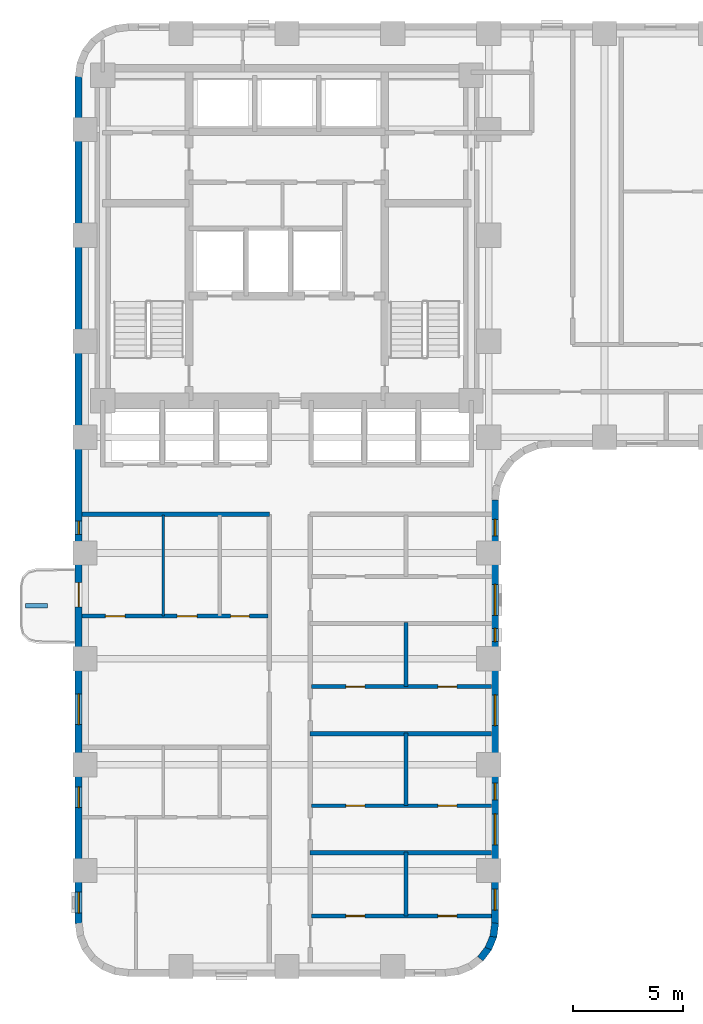
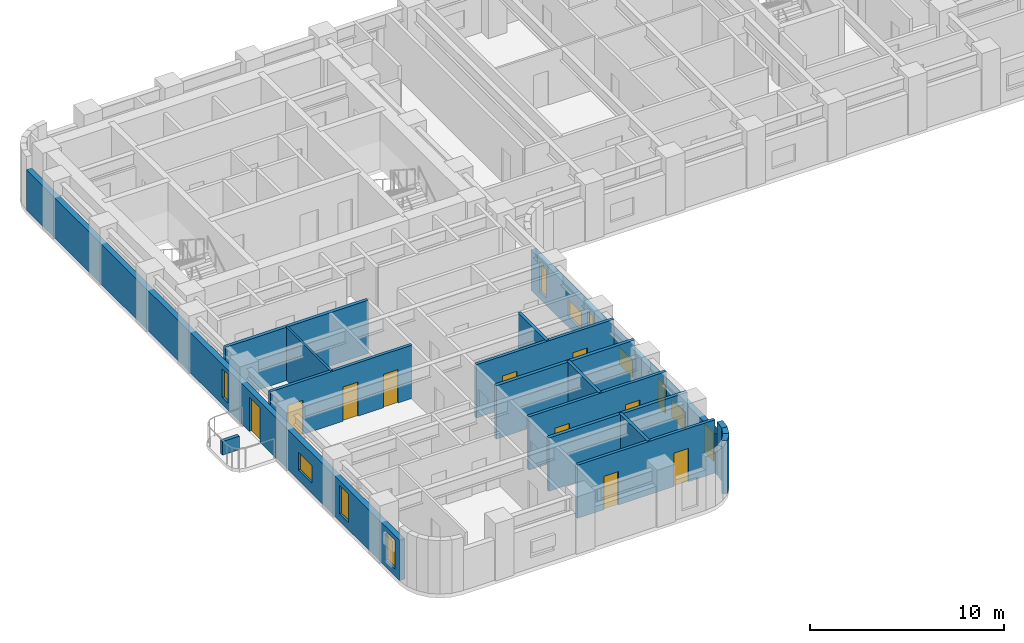
# One storey, part 3 of 11: 17 walls, 11 windows, 10 doors, 21 openings.
"""IFC4 building model written with IfcOpenShell, lengths in metres."""

from ifc_helpers import new_model, si_unit, direction, frame, frame_2d, origin, place, context, subcontext, project, spatial, rectangle, extrude, material, layer, layer_set, type_object, element, fill, save


model = new_model("IFC4")

# Units and contexts
model_context = context("Model", 3, precision=1e-05, world=origin(), true_north=direction((0.0, 1.0)))
body_context = subcontext(model_context, "Body", "Model", "MODEL_VIEW")
ifc_project = project(units=[si_unit("LENGTHUNIT", "METRE"), si_unit("AREAUNIT", "SQUARE_METRE"), si_unit("VOLUMEUNIT", "CUBIC_METRE"), si_unit("PLANEANGLEUNIT", "RADIAN"), si_unit("MASSUNIT", "GRAM", prefix="KILO")], contexts=[model_context])

# Site, building, storey
site_placement = place(None, origin())
site = spatial("IfcSite", under=ifc_project, at=site_placement, CompositionType="ELEMENT")
building_placement = place(site_placement, origin())
building = spatial("IfcBuilding", under=site, at=building_placement, Name="Orvandelia Arch Residences", CompositionType="ELEMENT")
storey_placement = place(building_placement, frame((0.0, 0.0, 64.60009765625)))
storey = spatial("IfcBuildingStorey", under=building, at=storey_placement, Name="L16", CompositionType="ELEMENT", Elevation=64.60009765625)

# Walls
ifc_material_1 = material(Name="Fire-Rated Corridor Partition")
ifc_layer_1 = layer(ifc_material_1, 0.199951171875, Name="Fire-Rated Corridor Partition")
ifc_layer_set_1 = layer_set([ifc_layer_1], Name="Fire-Rated Corridor Partition")
wall_type_1 = type_object("IfcWallType", Name="WL-CORR-200", PredefinedType="PARTITIONING", material=ifc_layer_set_1)
wall_1_placement = place(storey_placement, frame((5.1201171875, 25.75, 0.0), z_axis=(0.0, 0.0, 1.0), x_axis=(1.0, 0.0, 0.0)))
element("IfcWall", 1, at=wall_1_placement, inside=storey, type_object=wall_type_1, Name="Interior Partition Wall WL-L16-WCLS-W", PredefinedType="PARTITIONING", context=body_context, shape_type="SweptSolid", body=[
    extrude(rectangle(XDim=8.47998046875, YDim=0.199951171875, at=frame_2d((4.239990234375, 0.0))), origin(), (0.0, 0.0, 1.0), 3.349853515625),
])
ifc_material_2 = material(Name="Concrete C40/50", Category="concrete")
ifc_layer_2 = layer(ifc_material_2, 0.199951171875, Name="Concrete C40/50", Category="concrete")
ifc_layer_set_2 = layer_set([ifc_layer_2], Name="Concrete C40/50")
wall_type_2 = type_object("IfcWallType", Name="WL-DEM-200", PredefinedType="SOLIDWALL", material=ifc_layer_set_2)
for number, where, z_axis, x_axis, name in (
    (2, (15.449951171875, 10.39990234375, 0.0), (0.0, 0.0, 1.0), (1.0, 0.0, 0.0), "Interior Partition Wall WL-L16-DEM-WR-104"),
    (3, (15.449951171875, 15.800048828125, 0.0), (0.0, 0.0, 1.0), (1.0, 0.0, 0.0), "Interior Partition Wall WL-L16-DEM-WR-158"),
):
    element("IfcWall", number, at=place(storey_placement, frame(where, z_axis=z_axis, x_axis=x_axis)), inside=storey, type_object=wall_type_2, Name=name, PredefinedType="SOLIDWALL", context=body_context, shape_type="SweptSolid", body=[
        extrude(rectangle(XDim=8.22998046875, YDim=0.199951171875, at=frame_2d((4.114990234375, 0.0))), origin(), (0.0, 0.0, 1.0), 3.349853515625),
    ])

# Wall, openings, windows
ifc_material_3 = material(Name="Precast concrete C40/50", Category="concrete")
ifc_layer_3 = layer(ifc_material_3, 0.320068359375, Name="Precast concrete C40/50", Category="concrete")
ifc_layer_set_3 = layer_set([ifc_layer_3], Name="Precast concrete C40/50")
wall_type_3 = type_object("IfcWallType", Name="WL-EXT-STONE-320", PredefinedType="STANDARD", material=ifc_layer_set_3)
wall_2_placement = place(storey_placement, frame((23.840087890625, 26.39990234375, 0.0), z_axis=(0.0, 0.0, 1.0), x_axis=(0.0, -1.0, 0.0)))
wall_2 = element("IfcWall", 4, at=wall_2_placement, inside=storey, type_object=wall_type_3, Name="Coral-Limestone Precast Facade Wall L16-028", PredefinedType="STANDARD", context=body_context, shape_type="SweptSolid", body=[
    extrude(rectangle(XDim=19.199951171875, YDim=0.320068359375, at=frame_2d((9.60009765625, 0.0))), origin(), (0.0, 0.0, 1.0), 2.52978515625),
])
opening_1_placement = place(wall_2_placement, frame((14.22998046875, 0.0, 0.64990234375)))
opening_1 = element("IfcOpeningElement", 5, at=opening_1_placement, cuts=wall_2, Name="Opening W10", PredefinedType="OPENING", context=body_context, shape_type="SweptSolid", body=[
    extrude(rectangle(XDim=1.39990234375, YDim=1.10009765625, at=frame_2d((0.699951171875, 0.550048828125))), frame((0.0, 0.169921875, 0.0), z_axis=(0.0, -1.0, 0.0), x_axis=(1.0, 0.0, 0.0)), (0.0, 0.0, 1.0), 0.340087890625),
])
opening_2_placement = place(wall_2_placement, frame((8.830078125, 0.0, 0.64990234375)))
opening_2 = element("IfcOpeningElement", 6, at=opening_2_placement, cuts=wall_2, Name="Opening W10", PredefinedType="OPENING", context=body_context, shape_type="SweptSolid", body=[
    extrude(rectangle(XDim=1.39990234375, YDim=1.10009765625, at=frame_2d((0.699951171875, 0.550048828125))), frame((0.0, 0.169921875, 0.0), z_axis=(0.0, -1.0, 0.0), x_axis=(1.0, 0.0, 0.0)), (0.0, 0.0, 1.0), 0.340087890625),
])
opening_3_placement = place(wall_2_placement, frame((3.830078125, 0.0, 0.64990234375)))
opening_3 = element("IfcOpeningElement", 7, at=opening_3_placement, cuts=wall_2, Name="Opening W10", PredefinedType="OPENING", context=body_context, shape_type="SweptSolid", body=[
    extrude(rectangle(XDim=1.39990234375, YDim=1.10009765625, at=frame_2d((0.699951171875, 0.550048828125))), frame((0.0, 0.169921875, 0.0), z_axis=(0.0, -1.0, 0.0), x_axis=(1.0, 0.0, 0.0)), (0.0, 0.0, 1.0), 0.340087890625),
])
opening_4_placement = place(wall_2_placement, frame((17.638916015625, 0.0, 0.449951171875)))
opening_4 = element("IfcOpeningElement", 8, at=opening_4_placement, cuts=wall_2, Name="Opening W4", PredefinedType="OPENING", context=body_context, shape_type="SweptSolid", body=[
    extrude(rectangle(XDim=0.949951171875, YDim=1.800048828125, at=frame_2d((0.47509765625, 0.89990234375))), frame((0.0, 0.169921875, 0.0), z_axis=(0.0, -1.0, 0.0), x_axis=(1.0, 0.0, 0.0)), (0.0, 0.0, 1.0), 0.340087890625),
])
opening_5_placement = place(wall_2_placement, frame((12.840087890625, 0.0, 0.449951171875)))
opening_5 = element("IfcOpeningElement", 9, at=opening_5_placement, cuts=wall_2, Name="Opening W11", PredefinedType="OPENING", context=body_context, shape_type="SweptSolid", body=[
    extrude(rectangle(XDim=0.75, YDim=1.800048828125, at=frame_2d((0.375, 0.89990234375))), frame((0.0, 0.169921875, 0.0), z_axis=(0.0, -1.0, 0.0), x_axis=(1.0, 0.0, 0.0)), (0.0, 0.0, 1.0), 0.340087890625),
])
opening_6_placement = place(wall_2_placement, frame((5.81494140625, 0.0, 0.449951171875)))
opening_6 = element("IfcOpeningElement", 10, at=opening_6_placement, cuts=wall_2, Name="Opening W12", PredefinedType="OPENING", context=body_context, shape_type="SweptSolid", body=[
    extrude(rectangle(XDim=0.60009765625, YDim=1.800048828125, at=frame_2d((0.300048828125, 0.89990234375))), frame((0.0, 0.169921875, 0.0), z_axis=(0.0, -1.0, 0.0), x_axis=(1.0, 0.0, 0.0)), (0.0, 0.0, 1.0), 0.340087890625),
])
opening_7_placement = place(wall_2_placement, frame((0.8798828125, 0.0, 0.449951171875)))
opening_7 = element("IfcOpeningElement", 11, at=opening_7_placement, cuts=wall_2, Name="Opening W11", PredefinedType="OPENING", context=body_context, shape_type="SweptSolid", body=[
    extrude(rectangle(XDim=0.75, YDim=1.800048828125, at=frame_2d((0.375, 0.89990234375))), frame((0.0, 0.169921875, 0.0), z_axis=(0.0, -1.0, 0.0), x_axis=(1.0, 0.0, 0.0)), (0.0, 0.0, 1.0), 0.340087890625),
])
ifc_material_4 = material(Name="Tempered Low-E Insulated Glazing", Category="glass")
window_type_1 = type_object("IfcWindowType", Name="WIN-BED-0750x1800", PartitioningType="SINGLE_PANEL", PredefinedType="WINDOW", material=ifc_material_4)
window_1_placement = place(opening_5_placement, origin())
window_1 = element("IfcWindow", 12, at=window_1_placement, inside=storey, type_object=window_type_1, Name="Recessed Punched Window L16-020", OverallHeight=1.800048828125, OverallWidth=0.75, PartitioningType="SINGLE_PANEL", PredefinedType="WINDOW", context=body_context, shape_type="SweptSolid", body=[
    extrude(rectangle(XDim=0.75, YDim=1.800048828125, at=frame_2d((0.375, 0.89990234375))), frame((0.0, 0.030029296875, 0.0), z_axis=(0.0, -1.0, 0.0), x_axis=(1.0, 0.0, 0.0)), (0.0, 0.0, 1.0), 0.06005859375),
])
fill(opening_5, window_1)
window_2_placement = place(opening_7_placement, origin())
window_2 = element("IfcWindow", 13, at=window_2_placement, inside=storey, type_object=window_type_1, Name="Recessed Punched Window L16-022", OverallHeight=1.800048828125, OverallWidth=0.75, PartitioningType="SINGLE_PANEL", PredefinedType="WINDOW", context=body_context, shape_type="SweptSolid", body=[
    extrude(rectangle(XDim=0.75, YDim=1.800048828125, at=frame_2d((0.375, 0.89990234375))), frame((0.0, 0.030029296875, 0.0), z_axis=(0.0, -1.0, 0.0), x_axis=(1.0, 0.0, 0.0)), (0.0, 0.0, 1.0), 0.06005859375),
])
fill(opening_7, window_2)
window_type_2 = type_object("IfcWindowType", Name="WIN-CLR-1400x1100", PartitioningType="SINGLE_PANEL", PredefinedType="WINDOW", material=ifc_material_4)
window_3_placement = place(opening_1_placement, origin())
window_3 = element("IfcWindow", 14, at=window_3_placement, inside=storey, type_object=window_type_2, Name="Recessed Punched Window L16-016", OverallHeight=1.10009765625, OverallWidth=1.39990234375, PartitioningType="SINGLE_PANEL", PredefinedType="WINDOW", context=body_context, shape_type="SweptSolid", body=[
    extrude(rectangle(XDim=1.39990234375, YDim=1.10009765625, at=frame_2d((0.699951171875, 0.550048828125))), frame((0.0, 0.030029296875, 0.0), z_axis=(0.0, -1.0, 0.0), x_axis=(1.0, 0.0, 0.0)), (0.0, 0.0, 1.0), 0.06005859375),
])
fill(opening_1, window_3)
window_4_placement = place(opening_2_placement, origin())
window_4 = element("IfcWindow", 15, at=window_4_placement, inside=storey, type_object=window_type_2, Name="Recessed Punched Window L16-017", OverallHeight=1.10009765625, OverallWidth=1.39990234375, PartitioningType="SINGLE_PANEL", PredefinedType="WINDOW", context=body_context, shape_type="SweptSolid", body=[
    extrude(rectangle(XDim=1.39990234375, YDim=1.10009765625, at=frame_2d((0.699951171875, 0.550048828125))), frame((0.0, 0.030029296875, 0.0), z_axis=(0.0, -1.0, 0.0), x_axis=(1.0, 0.0, 0.0)), (0.0, 0.0, 1.0), 0.06005859375),
])
fill(opening_2, window_4)
window_5_placement = place(opening_3_placement, origin())
window_5 = element("IfcWindow", 16, at=window_5_placement, inside=storey, type_object=window_type_2, Name="Recessed Punched Window L16-018", OverallHeight=1.10009765625, OverallWidth=1.39990234375, PartitioningType="SINGLE_PANEL", PredefinedType="WINDOW", context=body_context, shape_type="SweptSolid", body=[
    extrude(rectangle(XDim=1.39990234375, YDim=1.10009765625, at=frame_2d((0.699951171875, 0.550048828125))), frame((0.0, 0.030029296875, 0.0), z_axis=(0.0, -1.0, 0.0), x_axis=(1.0, 0.0, 0.0)), (0.0, 0.0, 1.0), 0.06005859375),
])
fill(opening_3, window_5)
window_type_3 = type_object("IfcWindowType", Name="WIN-LAN-0600x1800", PartitioningType="SINGLE_PANEL", PredefinedType="WINDOW", material=ifc_material_4)
window_6_placement = place(opening_6_placement, origin())
window_6 = element("IfcWindow", 17, at=window_6_placement, inside=storey, type_object=window_type_3, Name="Recessed Punched Window L16-021", OverallHeight=1.800048828125, OverallWidth=0.60009765625, PartitioningType="SINGLE_PANEL", PredefinedType="WINDOW", context=body_context, shape_type="SweptSolid", body=[
    extrude(rectangle(XDim=0.60009765625, YDim=1.800048828125, at=frame_2d((0.300048828125, 0.89990234375))), frame((0.0, 0.030029296875, 0.0), z_axis=(0.0, -1.0, 0.0), x_axis=(1.0, 0.0, 0.0)), (0.0, 0.0, 1.0), 0.06005859375),
])
fill(opening_6, window_6)
window_type_4 = type_object("IfcWindowType", Name="WIN-RES-0950x1800", PartitioningType="SINGLE_PANEL", PredefinedType="WINDOW", material=ifc_material_4)
window_7_placement = place(opening_4_placement, origin())
window_7 = element("IfcWindow", 18, at=window_7_placement, inside=storey, type_object=window_type_4, Name="Recessed Punched Window L16-019", OverallHeight=1.800048828125, OverallWidth=0.949951171875, PartitioningType="SINGLE_PANEL", PredefinedType="WINDOW", context=body_context, shape_type="SweptSolid", body=[
    extrude(rectangle(XDim=0.949951171875, YDim=1.800048828125, at=frame_2d((0.47509765625, 0.89990234375))), frame((0.0, 0.030029296875, 0.0), z_axis=(0.0, -1.0, 0.0), x_axis=(1.0, 0.0, 0.0)), (0.0, 0.0, 1.0), 0.06005859375),
])
fill(opening_4, window_7)

# Walls
wall_3_placement = place(storey_placement, frame((23.84130859375, 7.220947265625, 0.0), z_axis=(0.0, 0.0, 1.0), x_axis=(-0.130504898859, -0.991447664465, 0.0)))
element("IfcWall", 19, at=wall_3_placement, inside=storey, type_object=wall_type_3, Name="Coral-Limestone Precast Facade Wall L16-029", PredefinedType="STANDARD", context=body_context, shape_type="SweptSolid", body=[
    extrude(rectangle(XDim=0.626708984375, YDim=0.320068359375, at=frame_2d((0.3134765625, 0.0))), origin(), (0.0, 0.0, 1.0), 3.349853515625),
])
wall_4_placement = place(storey_placement, frame((23.7705078125, 6.639892578125, 0.0), z_axis=(0.0, 0.0, 1.0), x_axis=(-0.382787856107, -0.923836271867, 0.0)))
element("IfcWall", 20, at=wall_4_placement, inside=storey, type_object=wall_type_3, Name="Coral-Limestone Precast Facade Wall L16-030", PredefinedType="STANDARD", context=body_context, shape_type="SweptSolid", body=[
    extrude(rectangle(XDim=0.626220703125, YDim=0.320068359375, at=frame_2d((0.31298828125, 0.0))), origin(), (0.0, 0.0, 1.0), 3.349853515625),
])
wall_5_placement = place(storey_placement, frame((23.551513671875, 6.097412109375, 0.0), z_axis=(0.0, 0.0, 1.0), x_axis=(-0.608693302629, -0.793405610854, 0.0)))
element("IfcWall", 21, at=wall_5_placement, inside=storey, type_object=wall_type_3, Name="Coral-Limestone Precast Facade Wall L16-031", PredefinedType="STANDARD", context=body_context, shape_type="SweptSolid", body=[
    extrude(rectangle(XDim=0.62646484375, YDim=0.320068359375, at=frame_2d((0.313232421875, 0.0))), origin(), (0.0, 0.0, 1.0), 3.349853515625),
])

# Wall, openings, door, windows
wall_6_placement = place(storey_placement, frame((4.9599609375, 7.199951171875, 0.0), z_axis=(0.0, 0.0, 1.0), x_axis=(0.0, 1.0, 0.0)))
wall_6 = element("IfcWall", 22, at=wall_6_placement, inside=storey, type_object=wall_type_3, Name="Coral-Limestone Precast Facade Wall L16-042", PredefinedType="STANDARD", context=body_context, shape_type="SweptSolid", body=[
    extrude(rectangle(XDim=38.400146484375, YDim=0.320068359375, at=frame_2d((19.2001953125, 0.0))), origin(), (0.0, 0.0, 1.0), 2.52978515625),
])
opening_8_placement = place(wall_6_placement, frame((14.35009765625, 0.0, 0.0)))
opening_8 = element("IfcOpeningElement", 23, at=opening_8_placement, cuts=wall_6, Name="Opening BD1", PredefinedType="OPENING", context=body_context, shape_type="SweptSolid", body=[
    extrude(rectangle(XDim=1.10009765625, YDim=2.14990234375, at=frame_2d((0.550048828125, 1.074951171875))), frame((0.0, 0.169921875, 0.0), z_axis=(0.0, -1.0, 0.0), x_axis=(1.0, 0.0, 0.0)), (0.0, 0.0, 1.0), 0.340087890625),
])
opening_9_placement = place(wall_6_placement, frame((5.2490234375, 0.0, 0.449951171875)))
opening_9 = element("IfcOpeningElement", 24, at=opening_9_placement, cuts=wall_6, Name="Opening W4", PredefinedType="OPENING", context=body_context, shape_type="SweptSolid", body=[
    extrude(rectangle(XDim=0.949951171875, YDim=1.800048828125, at=frame_2d((0.47509765625, 0.89990234375))), frame((0.0, 0.169921875, 0.0), z_axis=(0.0, -1.0, 0.0), x_axis=(1.0, 0.0, 0.0)), (0.0, 0.0, 1.0), 0.340087890625),
])
opening_10_placement = place(wall_6_placement, frame((17.64501953125, 0.0, 0.449951171875)))
opening_10 = element("IfcOpeningElement", 25, at=opening_10_placement, cuts=wall_6, Name="Opening W12", PredefinedType="OPENING", context=body_context, shape_type="SweptSolid", body=[
    extrude(rectangle(XDim=0.60009765625, YDim=1.800048828125, at=frame_2d((0.300048828125, 0.89990234375))), frame((0.0, 0.169921875, 0.0), z_axis=(0.0, -1.0, 0.0), x_axis=(1.0, 0.0, 0.0)), (0.0, 0.0, 1.0), 0.340087890625),
])
opening_11_placement = place(wall_6_placement, frame((0.469970703125, 0.0, 0.449951171875)))
opening_11 = element("IfcOpeningElement", 26, at=opening_11_placement, cuts=wall_6, Name="Opening W4", PredefinedType="OPENING", context=body_context, shape_type="SweptSolid", body=[
    extrude(rectangle(XDim=0.949951171875, YDim=1.800048828125, at=frame_2d((0.47509765625, 0.89990234375))), frame((0.0, 0.169921875, 0.0), z_axis=(0.0, -1.0, 0.0), x_axis=(1.0, 0.0, 0.0)), (0.0, 0.0, 1.0), 0.340087890625),
])
opening_12_placement = place(wall_6_placement, frame((9.014892578125, 0.0, 0.64990234375)))
opening_12 = element("IfcOpeningElement", 27, at=opening_12_placement, cuts=wall_6, Name="Opening W10", PredefinedType="OPENING", context=body_context, shape_type="SweptSolid", body=[
    extrude(rectangle(XDim=1.39990234375, YDim=1.10009765625, at=frame_2d((0.699951171875, 0.550048828125))), frame((0.0, 0.169921875, 0.0), z_axis=(0.0, -1.0, 0.0), x_axis=(1.0, 0.0, 0.0)), (0.0, 0.0, 1.0), 0.340087890625),
])
ifc_material_5 = material(Name="Thermally Broken Aluminium Glazed Door", Category="aluminium")
door_type_1 = type_object("IfcDoorType", Name="DR-BAL-GLAZ-1100", OperationType="NOTDEFINED", PredefinedType="DOOR", material=ifc_material_5)
door_1_placement = place(opening_8_placement, origin())
door_1 = element("IfcDoor", 28, at=door_1_placement, inside=storey, type_object=door_type_1, Name="Tree Balcony Glazed Door BAL-L16-W1", OperationType="SINGLE_SWING_RIGHT", OverallHeight=2.14990234375, OverallWidth=1.10009765625, PredefinedType="DOOR", context=body_context, shape_type="SweptSolid", body=[
    extrude(rectangle(XDim=1.10009765625, YDim=2.14990234375, at=frame_2d((0.550048828125, 1.074951171875))), frame((0.0, 0.02490234375, 0.0), z_axis=(0.0, -1.0, 0.0), x_axis=(1.0, 0.0, 0.0)), (0.0, 0.0, 1.0), 0.050048828125),
])
fill(opening_8, door_1)
window_8_placement = place(opening_12_placement, origin())
window_8 = element("IfcWindow", 29, at=window_8_placement, inside=storey, type_object=window_type_2, Name="Recessed Punched Window L16-028", OverallHeight=1.10009765625, OverallWidth=1.39990234375, PartitioningType="SINGLE_PANEL", PredefinedType="WINDOW", context=body_context, shape_type="SweptSolid", body=[
    extrude(rectangle(XDim=1.39990234375, YDim=1.10009765625, at=frame_2d((0.699951171875, 0.550048828125))), frame((0.0, 0.030029296875, 0.0), z_axis=(0.0, -1.0, 0.0), x_axis=(1.0, 0.0, 0.0)), (0.0, 0.0, 1.0), 0.06005859375),
])
fill(opening_12, window_8)
window_9_placement = place(opening_10_placement, origin())
window_9 = element("IfcWindow", 30, at=window_9_placement, inside=storey, type_object=window_type_3, Name="Recessed Punched Window L16-026", OverallHeight=1.800048828125, OverallWidth=0.60009765625, PartitioningType="SINGLE_PANEL", PredefinedType="WINDOW", context=body_context, shape_type="SweptSolid", body=[
    extrude(rectangle(XDim=0.60009765625, YDim=1.800048828125, at=frame_2d((0.300048828125, 0.89990234375))), frame((0.0, 0.030029296875, 0.0), z_axis=(0.0, -1.0, 0.0), x_axis=(1.0, 0.0, 0.0)), (0.0, 0.0, 1.0), 0.06005859375),
])
fill(opening_10, window_9)
window_10_placement = place(opening_9_placement, origin())
window_10 = element("IfcWindow", 31, at=window_10_placement, inside=storey, type_object=window_type_4, Name="Recessed Punched Window L16-025", OverallHeight=1.800048828125, OverallWidth=0.949951171875, PartitioningType="SINGLE_PANEL", PredefinedType="WINDOW", context=body_context, shape_type="SweptSolid", body=[
    extrude(rectangle(XDim=0.949951171875, YDim=1.800048828125, at=frame_2d((0.47509765625, 0.89990234375))), frame((0.0, 0.030029296875, 0.0), z_axis=(0.0, -1.0, 0.0), x_axis=(1.0, 0.0, 0.0)), (0.0, 0.0, 1.0), 0.06005859375),
])
fill(opening_9, window_10)
window_11_placement = place(opening_11_placement, origin())
window_11 = element("IfcWindow", 32, at=window_11_placement, inside=storey, type_object=window_type_4, Name="Recessed Punched Window L16-027", OverallHeight=1.800048828125, OverallWidth=0.949951171875, PartitioningType="SINGLE_PANEL", PredefinedType="WINDOW", context=body_context, shape_type="SweptSolid", body=[
    extrude(rectangle(XDim=0.949951171875, YDim=1.800048828125, at=frame_2d((0.47509765625, 0.89990234375))), frame((0.0, 0.030029296875, 0.0), z_axis=(0.0, -1.0, 0.0), x_axis=(1.0, 0.0, 0.0)), (0.0, 0.0, 1.0), 0.06005859375),
])
fill(opening_11, window_11)

# Walls
ifc_material_6 = material(Name="Lightweight Gypsum Stud Partition")
ifc_layer_4 = layer(ifc_material_6, 0.1201171875, Name="Lightweight Gypsum Stud Partition")
ifc_layer_set_4 = layer_set([ifc_layer_4], Name="Lightweight Gypsum Stud Partition")
wall_type_4 = type_object("IfcWallType", Name="WL-PART-120", PredefinedType="PARTITIONING", material=ifc_layer_set_4)
wall_7_placement = place(storey_placement, frame((8.791015625, 21.132080078125, 0.0), z_axis=(0.0, 0.0, 1.0), x_axis=(0.0, 1.0, 0.0)))
element("IfcWall", 33, at=wall_7_placement, inside=storey, type_object=wall_type_4, Name="Interior Partition Wall WL-L16-U02-V1", PredefinedType="PARTITIONING", context=body_context, shape_type="SweptSolid", body=[
    extrude(rectangle(XDim=4.587890625, YDim=0.1201171875, at=frame_2d((2.2939453125, 0.0))), origin(), (0.0, 0.0, 1.0), 3.349853515625),
])
ifc_layer_5 = layer(ifc_material_3, 0.199951171875, Name="Precast concrete C40/50", Category="concrete")
ifc_layer_set_5 = layer_set([ifc_layer_5], Name="Precast concrete C40/50")
wall_type_5 = type_object("IfcWallType", Name="WL-PLANTER-200", PredefinedType="MOVABLE", material=ifc_layer_set_5)
wall_8_placement = place(storey_placement, frame((2.550048828125, 21.60009765625, 0.0), z_axis=(0.0, 0.0, 1.0), x_axis=(1.0, 0.0, 0.0)))
element("IfcWall", 34, at=wall_8_placement, inside=storey, type_object=wall_type_5, Name="Balcony Precast Tree Planter BAL-L16-W1", PredefinedType="MOVABLE", context=body_context, shape_type="SweptSolid", body=[
    extrude(rectangle(XDim=1.0, YDim=0.199951171875, at=frame_2d((0.5, 0.0))), origin(), (0.0, 0.0, 1.0), 0.849853515625),
])

# Wall, openings, doors
ifc_material_7 = material(Name="Moisture-Resistant Plumbing Wall")
ifc_layer_6 = layer(ifc_material_7, 0.179931640625, Name="Moisture-Resistant Plumbing Wall")
ifc_layer_set_6 = layer_set([ifc_layer_6], Name="Moisture-Resistant Plumbing Wall")
wall_type_6 = type_object("IfcWallType", Name="WL-WET-180", PredefinedType="PLUMBINGWALL", material=ifc_layer_set_6)
wall_9_placement = place(storey_placement, frame((5.1201171875, 21.132080078125, 0.0), z_axis=(0.0, 0.0, 1.0), x_axis=(1.0, 0.0, 0.0)))
wall_9 = element("IfcWall", 35, at=wall_9_placement, inside=storey, type_object=wall_type_6, Name="Interior Partition Wall WL-L16-U02-HZ", PredefinedType="PLUMBINGWALL", context=body_context, shape_type="SweptSolid", body=[
    extrude(rectangle(XDim=8.419921875, YDim=0.179931640625, at=frame_2d((4.2099609375, 0.0))), origin(), (0.0, 0.0, 1.0), 3.349853515625),
])
opening_13_placement = place(wall_9_placement, frame((1.04638671875, 0.0, 0.0)))
opening_13 = element("IfcOpeningElement", 36, at=opening_13_placement, cuts=wall_9, Name="Opening D3", PredefinedType="OPENING", context=body_context, shape_type="SweptSolid", body=[
    extrude(rectangle(XDim=0.89990234375, YDim=2.14990234375, at=frame_2d((0.449951171875, 1.074951171875))), frame((0.0, 0.10009765625, 0.0), z_axis=(0.0, -1.0, 0.0), x_axis=(1.0, 0.0, 0.0)), (0.0, 0.0, 1.0), 0.199951171875),
])
opening_14_placement = place(wall_9_placement, frame((4.307373046875, 0.0, 0.0)))
opening_14 = element("IfcOpeningElement", 37, at=opening_14_placement, cuts=wall_9, Name="Opening D3", PredefinedType="OPENING", context=body_context, shape_type="SweptSolid", body=[
    extrude(rectangle(XDim=0.89990234375, YDim=2.14990234375, at=frame_2d((0.449951171875, 1.074951171875))), frame((0.0, 0.10009765625, 0.0), z_axis=(0.0, -1.0, 0.0), x_axis=(1.0, 0.0, 0.0)), (0.0, 0.0, 1.0), 0.199951171875),
])
opening_15_placement = place(wall_9_placement, frame((6.723388671875, 0.0, 0.0)))
opening_15 = element("IfcOpeningElement", 38, at=opening_15_placement, cuts=wall_9, Name="Opening D4", PredefinedType="OPENING", context=body_context, shape_type="SweptSolid", body=[
    extrude(rectangle(XDim=0.860107421875, YDim=2.10009765625, at=frame_2d((0.43017578125, 1.050048828125))), frame((0.0, 0.10009765625, 0.0), z_axis=(0.0, -1.0, 0.0), x_axis=(1.0, 0.0, 0.0)), (0.0, 0.0, 1.0), 0.199951171875),
])
ifc_material_8 = material(Name="Engineered Timber Flush Door", Category="wood")
door_type_2 = type_object("IfcDoorType", Name="DR-INT-900", OperationType="NOTDEFINED", PredefinedType="DOOR", material=ifc_material_8)
door_2_placement = place(opening_13_placement, origin())
door_2 = element("IfcDoor", 39, at=door_2_placement, inside=storey, type_object=door_type_2, Name="DR-L16-U02-BD1", OperationType="SINGLE_SWING_RIGHT", OverallHeight=2.14990234375, OverallWidth=0.89990234375, PredefinedType="DOOR", context=body_context, shape_type="SweptSolid", body=[
    extrude(rectangle(XDim=0.89990234375, YDim=2.14990234375, at=frame_2d((0.449951171875, 1.074951171875))), frame((0.0, 0.02490234375, 0.0), z_axis=(0.0, -1.0, 0.0), x_axis=(1.0, 0.0, 0.0)), (0.0, 0.0, 1.0), 0.050048828125),
])
fill(opening_13, door_2)
door_3_placement = place(opening_14_placement, origin())
door_3 = element("IfcDoor", 40, at=door_3_placement, inside=storey, type_object=door_type_2, Name="DR-L16-U02-KIT", OperationType="SINGLE_SWING_LEFT", OverallHeight=2.14990234375, OverallWidth=0.89990234375, PredefinedType="DOOR", context=body_context, shape_type="SweptSolid", body=[
    extrude(rectangle(XDim=0.89990234375, YDim=2.14990234375, at=frame_2d((0.449951171875, 1.074951171875))), frame((0.0, 0.02490234375, 0.0), z_axis=(0.0, -1.0, 0.0), x_axis=(1.0, 0.0, 0.0)), (0.0, 0.0, 1.0), 0.050048828125),
])
fill(opening_14, door_3)
ifc_material_9 = material(Name="Moisture-Sealed Timber Bathroom Door", Category="wood")
door_type_3 = type_object("IfcDoorType", Name="DR-WET-900", OperationType="NOTDEFINED", PredefinedType="DOOR", material=ifc_material_9)
door_4_placement = place(opening_15_placement, origin())
door_4 = element("IfcDoor", 41, at=door_4_placement, inside=storey, type_object=door_type_3, Name="DR-L16-U02-BTH", OperationType="SINGLE_SWING_RIGHT", OverallHeight=2.10009765625, OverallWidth=0.860107421875, PredefinedType="DOOR", context=body_context, shape_type="SweptSolid", body=[
    extrude(rectangle(XDim=0.860107421875, YDim=2.10009765625, at=frame_2d((0.43017578125, 1.050048828125))), frame((0.0, 0.02490234375, 0.0), z_axis=(0.0, -1.0, 0.0), x_axis=(1.0, 0.0, 0.0)), (0.0, 0.0, 1.0), 0.050048828125),
])
fill(opening_15, door_4)

wall_10_placement = place(storey_placement, frame((15.510009765625, 7.5419921875, 0.0), z_axis=(0.0, 0.0, 1.0), x_axis=(1.0, 0.0, 0.0)))
wall_10 = element("IfcWall", 42, at=wall_10_placement, inside=storey, type_object=wall_type_6, Name="Interior Partition Wall WL-L16-U03-HZ", PredefinedType="PLUMBINGWALL", context=body_context, shape_type="SweptSolid", body=[
    extrude(rectangle(XDim=8.169921875, YDim=0.179931640625, at=frame_2d((4.0849609375, 0.0))), origin(), (0.0, 0.0, 1.0), 3.349853515625),
])
opening_16_placement = place(wall_10_placement, frame((1.56494140625, 0.0, 0.0)))
opening_16 = element("IfcOpeningElement", 43, at=opening_16_placement, cuts=wall_10, Name="Opening D4", PredefinedType="OPENING", context=body_context, shape_type="SweptSolid", body=[
    extrude(rectangle(XDim=0.860107421875, YDim=2.10009765625, at=frame_2d((0.43017578125, 1.050048828125))), frame((0.0, 0.10009765625, 0.0), z_axis=(0.0, -1.0, 0.0), x_axis=(1.0, 0.0, 0.0)), (0.0, 0.0, 1.0), 0.199951171875),
])
opening_17_placement = place(wall_10_placement, frame((5.72998046875, 0.0, 0.0)))
opening_17 = element("IfcOpeningElement", 44, at=opening_17_placement, cuts=wall_10, Name="Opening D4", PredefinedType="OPENING", context=body_context, shape_type="SweptSolid", body=[
    extrude(rectangle(XDim=0.860107421875, YDim=2.10009765625, at=frame_2d((0.43017578125, 1.050048828125))), frame((0.0, 0.10009765625, 0.0), z_axis=(0.0, -1.0, 0.0), x_axis=(1.0, 0.0, 0.0)), (0.0, 0.0, 1.0), 0.199951171875),
])
door_5_placement = place(opening_16_placement, origin())
door_5 = element("IfcDoor", 45, at=door_5_placement, inside=storey, type_object=door_type_3, Name="DR-L16-U03-KIT", OperationType="SINGLE_SWING_LEFT", OverallHeight=2.10009765625, OverallWidth=0.860107421875, PredefinedType="DOOR", context=body_context, shape_type="SweptSolid", body=[
    extrude(rectangle(XDim=0.860107421875, YDim=2.10009765625, at=frame_2d((0.43017578125, 1.050048828125))), frame((0.0, 0.02490234375, 0.0), z_axis=(0.0, -1.0, 0.0), x_axis=(1.0, 0.0, 0.0)), (0.0, 0.0, 1.0), 0.050048828125),
])
fill(opening_16, door_5)
door_6_placement = place(opening_17_placement, origin())
door_6 = element("IfcDoor", 46, at=door_6_placement, inside=storey, type_object=door_type_3, Name="DR-L16-U03-BTH", OperationType="SINGLE_SWING_RIGHT", OverallHeight=2.10009765625, OverallWidth=0.860107421875, PredefinedType="DOOR", context=body_context, shape_type="SweptSolid", body=[
    extrude(rectangle(XDim=0.860107421875, YDim=2.10009765625, at=frame_2d((0.43017578125, 1.050048828125))), frame((0.0, 0.02490234375, 0.0), z_axis=(0.0, -1.0, 0.0), x_axis=(1.0, 0.0, 0.0)), (0.0, 0.0, 1.0), 0.050048828125),
])
fill(opening_17, door_6)

# Wall
wall_11_placement = place(storey_placement, frame((19.7900390625, 7.5419921875, 0.0), z_axis=(0.0, 0.0, 1.0), x_axis=(0.0, 1.0, 0.0)))
element("IfcWall", 47, at=wall_11_placement, inside=storey, type_object=wall_type_6, Name="Interior Partition Wall WL-L16-U03-V1", PredefinedType="PLUMBINGWALL", context=body_context, shape_type="SweptSolid", body=[
    extrude(rectangle(XDim=2.89794921875, YDim=0.179931640625, at=frame_2d((1.448974609375, 0.0))), origin(), (0.0, 0.0, 1.0), 3.349853515625),
])

# Wall, openings, doors
wall_12_placement = place(storey_placement, frame((15.510009765625, 12.5400390625, 0.0), z_axis=(0.0, 0.0, 1.0), x_axis=(1.0, 0.0, 0.0)))
wall_12 = element("IfcWall", 48, at=wall_12_placement, inside=storey, type_object=wall_type_6, Name="Interior Partition Wall WL-L16-U04-HZ", PredefinedType="PLUMBINGWALL", context=body_context, shape_type="SweptSolid", body=[
    extrude(rectangle(XDim=8.169921875, YDim=0.179931640625, at=frame_2d((4.0849609375, 0.0))), origin(), (0.0, 0.0, 1.0), 3.349853515625),
])
opening_18_placement = place(wall_12_placement, frame((1.56494140625, 0.0, 0.0)))
opening_18 = element("IfcOpeningElement", 49, at=opening_18_placement, cuts=wall_12, Name="Opening D4", PredefinedType="OPENING", context=body_context, shape_type="SweptSolid", body=[
    extrude(rectangle(XDim=0.860107421875, YDim=2.10009765625, at=frame_2d((0.43017578125, 1.050048828125))), frame((0.0, 0.10009765625, 0.0), z_axis=(0.0, -1.0, 0.0), x_axis=(1.0, 0.0, 0.0)), (0.0, 0.0, 1.0), 0.199951171875),
])
opening_19_placement = place(wall_12_placement, frame((5.72998046875, 0.0, 0.0)))
opening_19 = element("IfcOpeningElement", 50, at=opening_19_placement, cuts=wall_12, Name="Opening D4", PredefinedType="OPENING", context=body_context, shape_type="SweptSolid", body=[
    extrude(rectangle(XDim=0.860107421875, YDim=2.10009765625, at=frame_2d((0.43017578125, 1.050048828125))), frame((0.0, 0.10009765625, 0.0), z_axis=(0.0, -1.0, 0.0), x_axis=(1.0, 0.0, 0.0)), (0.0, 0.0, 1.0), 0.199951171875),
])
door_7_placement = place(opening_18_placement, origin())
door_7 = element("IfcDoor", 51, at=door_7_placement, inside=storey, type_object=door_type_3, Name="DR-L16-U04-KIT", OperationType="SINGLE_SWING_RIGHT", OverallHeight=2.10009765625, OverallWidth=0.860107421875, PredefinedType="DOOR", context=body_context, shape_type="SweptSolid", body=[
    extrude(rectangle(XDim=0.860107421875, YDim=2.10009765625, at=frame_2d((0.43017578125, 1.050048828125))), frame((0.0, 0.02490234375, 0.0), z_axis=(0.0, -1.0, 0.0), x_axis=(1.0, 0.0, 0.0)), (0.0, 0.0, 1.0), 0.050048828125),
])
fill(opening_18, door_7)
door_8_placement = place(opening_19_placement, origin())
door_8 = element("IfcDoor", 52, at=door_8_placement, inside=storey, type_object=door_type_3, Name="DR-L16-U04-BTH", OperationType="SINGLE_SWING_LEFT", OverallHeight=2.10009765625, OverallWidth=0.860107421875, PredefinedType="DOOR", context=body_context, shape_type="SweptSolid", body=[
    extrude(rectangle(XDim=0.860107421875, YDim=2.10009765625, at=frame_2d((0.43017578125, 1.050048828125))), frame((0.0, 0.02490234375, 0.0), z_axis=(0.0, -1.0, 0.0), x_axis=(1.0, 0.0, 0.0)), (0.0, 0.0, 1.0), 0.050048828125),
])
fill(opening_19, door_8)

# Wall
wall_13_placement = place(storey_placement, frame((19.7900390625, 12.5400390625, 0.0), z_axis=(0.0, 0.0, 1.0), x_axis=(0.0, 1.0, 0.0)))
element("IfcWall", 53, at=wall_13_placement, inside=storey, type_object=wall_type_6, Name="Interior Partition Wall WL-L16-U04-V1", PredefinedType="PLUMBINGWALL", context=body_context, shape_type="SweptSolid", body=[
    extrude(rectangle(XDim=3.300048828125, YDim=0.179931640625, at=frame_2d((1.64990234375, 0.0))), origin(), (0.0, 0.0, 1.0), 3.349853515625),
])

# Wall, openings, doors
wall_14_placement = place(storey_placement, frame((15.510009765625, 17.93994140625, 0.0), z_axis=(0.0, 0.0, 1.0), x_axis=(1.0, 0.0, 0.0)))
wall_14 = element("IfcWall", 54, at=wall_14_placement, inside=storey, type_object=wall_type_6, Name="Interior Partition Wall WL-L16-U05-HZ", PredefinedType="PLUMBINGWALL", context=body_context, shape_type="SweptSolid", body=[
    extrude(rectangle(XDim=8.169921875, YDim=0.179931640625, at=frame_2d((4.0849609375, 0.0))), origin(), (0.0, 0.0, 1.0), 3.349853515625),
])
opening_20_placement = place(wall_14_placement, frame((1.56494140625, 0.0, 0.0)))
opening_20 = element("IfcOpeningElement", 55, at=opening_20_placement, cuts=wall_14, Name="Opening D4", PredefinedType="OPENING", context=body_context, shape_type="SweptSolid", body=[
    extrude(rectangle(XDim=0.860107421875, YDim=2.10009765625, at=frame_2d((0.43017578125, 1.050048828125))), frame((0.0, 0.10009765625, 0.0), z_axis=(0.0, -1.0, 0.0), x_axis=(1.0, 0.0, 0.0)), (0.0, 0.0, 1.0), 0.199951171875),
])
opening_21_placement = place(wall_14_placement, frame((5.72998046875, 0.0, 0.0)))
opening_21 = element("IfcOpeningElement", 56, at=opening_21_placement, cuts=wall_14, Name="Opening D4", PredefinedType="OPENING", context=body_context, shape_type="SweptSolid", body=[
    extrude(rectangle(XDim=0.860107421875, YDim=2.10009765625, at=frame_2d((0.43017578125, 1.050048828125))), frame((0.0, 0.10009765625, 0.0), z_axis=(0.0, -1.0, 0.0), x_axis=(1.0, 0.0, 0.0)), (0.0, 0.0, 1.0), 0.199951171875),
])
door_9_placement = place(opening_20_placement, origin())
door_9 = element("IfcDoor", 57, at=door_9_placement, inside=storey, type_object=door_type_3, Name="DR-L16-U05-KIT", OperationType="SINGLE_SWING_LEFT", OverallHeight=2.10009765625, OverallWidth=0.860107421875, PredefinedType="DOOR", context=body_context, shape_type="SweptSolid", body=[
    extrude(rectangle(XDim=0.860107421875, YDim=2.10009765625, at=frame_2d((0.43017578125, 1.050048828125))), frame((0.0, 0.02490234375, 0.0), z_axis=(0.0, -1.0, 0.0), x_axis=(1.0, 0.0, 0.0)), (0.0, 0.0, 1.0), 0.050048828125),
])
fill(opening_20, door_9)
door_10_placement = place(opening_21_placement, origin())
door_10 = element("IfcDoor", 58, at=door_10_placement, inside=storey, type_object=door_type_3, Name="DR-L16-U05-BTH", OperationType="SINGLE_SWING_RIGHT", OverallHeight=2.10009765625, OverallWidth=0.860107421875, PredefinedType="DOOR", context=body_context, shape_type="SweptSolid", body=[
    extrude(rectangle(XDim=0.860107421875, YDim=2.10009765625, at=frame_2d((0.43017578125, 1.050048828125))), frame((0.0, 0.02490234375, 0.0), z_axis=(0.0, -1.0, 0.0), x_axis=(1.0, 0.0, 0.0)), (0.0, 0.0, 1.0), 0.050048828125),
])
fill(opening_21, door_10)

# Wall
wall_15_placement = place(storey_placement, frame((19.7900390625, 17.93994140625, 0.0), z_axis=(0.0, 0.0, 1.0), x_axis=(0.0, 1.0, 0.0)))
element("IfcWall", 59, at=wall_15_placement, inside=storey, type_object=wall_type_6, Name="Interior Partition Wall WL-L16-U05-V1", PredefinedType="PLUMBINGWALL", context=body_context, shape_type="SweptSolid", body=[
    extrude(rectangle(XDim=2.900146484375, YDim=0.179931640625, at=frame_2d((1.4501953125, 0.0))), origin(), (0.0, 0.0, 1.0), 3.349853515625),
])

save(model, "model.ifc")
